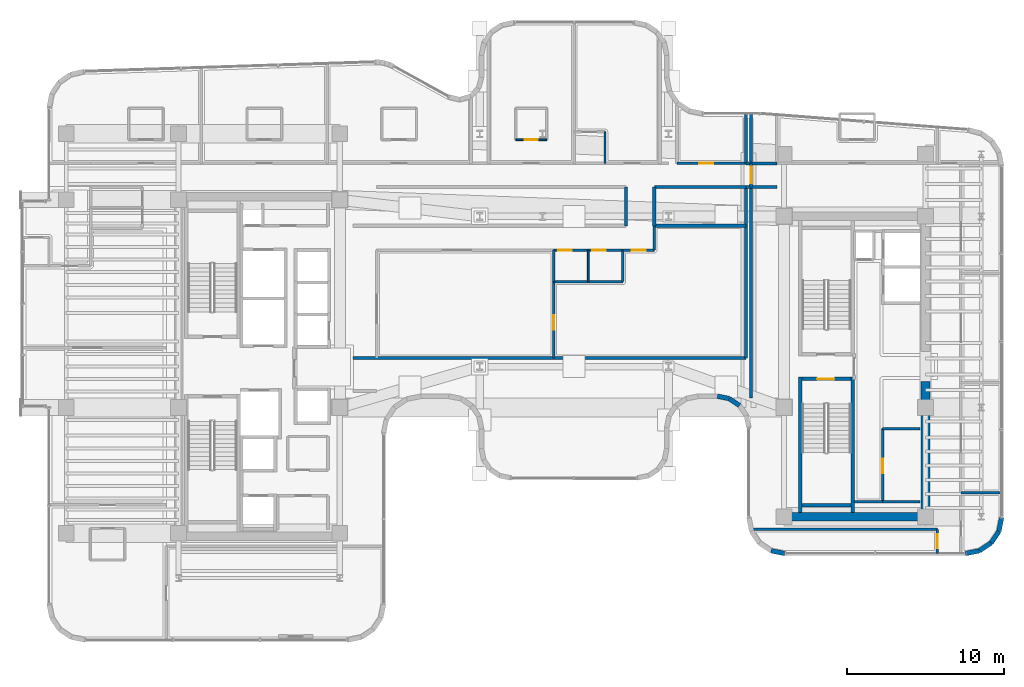
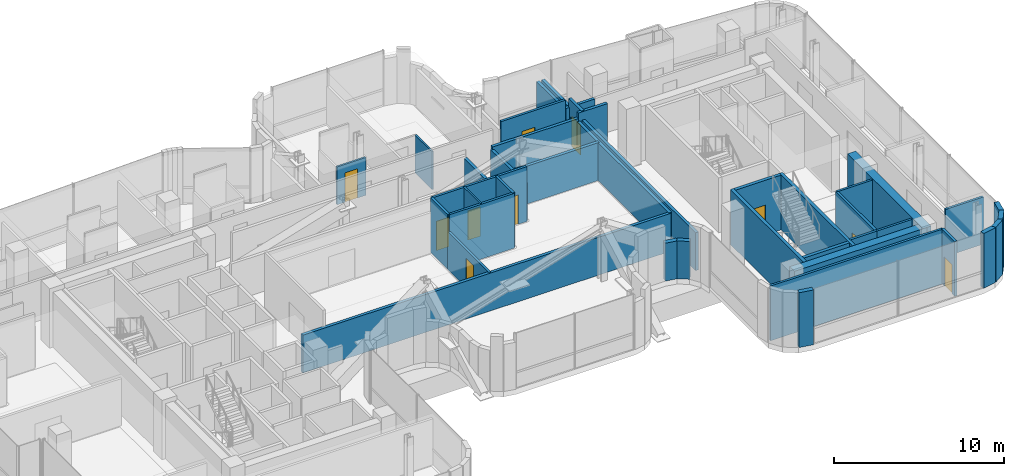
# One storey, part 29 of 37: 43 walls, 10 doors, 10 openings.
"""IFC4 building model written with IfcOpenShell, lengths in metres."""

from ifc_helpers import new_model, si_unit, direction, frame, frame_2d, origin, place, context, subcontext, project, spatial, rectangle, extrude, material, layer, layer_set, type_object, element, fill, save


model = new_model("IFC4")

# Units and contexts
model_context = context("Model", 3, precision=1e-05, world=origin(), true_north=direction((0.0, 1.0)))
body_context = subcontext(model_context, "Body", "Model", "MODEL_VIEW")
ifc_project = project(units=[si_unit("LENGTHUNIT", "METRE"), si_unit("AREAUNIT", "SQUARE_METRE"), si_unit("VOLUMEUNIT", "CUBIC_METRE"), si_unit("PLANEANGLEUNIT", "RADIAN"), si_unit("MASSUNIT", "GRAM", prefix="KILO")], contexts=[model_context])

# Site, building, storey
site_placement = place(None, origin())
site = spatial("IfcSite", under=ifc_project, at=site_placement, CompositionType="ELEMENT")
building_placement = place(site_placement, origin())
building = spatial("IfcBuilding", under=site, at=building_placement, Name="Valdorenza Pilgrim Sanctuary Tower", CompositionType="ELEMENT")
storey_placement = place(building_placement, frame((0.0, 0.0, 172.300048828125)))
storey = spatial("IfcBuildingStorey", under=building, at=storey_placement, Name="L44", CompositionType="ELEMENT", Elevation=172.300048828125)

# Wall
ifc_material_1 = material(Name="Acoustic twin-stud gypsum partition", Category="gypsum")
ifc_layer_1 = layer(ifc_material_1, 0.159912109375, Name="Acoustic twin-stud gypsum partition")
ifc_layer_set_1 = layer_set([ifc_layer_1], Name="Acoustic twin-stud gypsum partition")
wall_type_1 = type_object("IfcWallType", Name="WAL-COR-160", PredefinedType="PARTITIONING", material=ifc_layer_set_1)
wall_1_placement = place(storey_placement, frame((20.300048828125, -8.60009765625, 0.0), z_axis=(0.0, 0.0, 1.0), x_axis=(1.0, 0.0, 0.0)))
element("IfcWall", 1, at=wall_1_placement, inside=storey, type_object=wall_type_1, Name="L44 Core B Lift Hall South End Wall", PredefinedType="PARTITIONING", context=body_context, shape_type="SweptSolid", body=[
    extrude(rectangle(XDim=1.820068359375, YDim=0.159912109375, at=frame_2d((0.91015625, 0.0))), origin(), (0.0, 0.0, 1.0), 3.929931640625),
])

# Wall, opening, door
wall_2_placement = place(storey_placement, frame((22.1201171875, -8.60009765625, 0.0), z_axis=(0.0, 0.0, 1.0), x_axis=(0.0, 1.0, 0.0)))
wall_2 = element("IfcWall", 2, at=wall_2_placement, inside=storey, type_object=wall_type_1, Name="L44 Core B Freed Shaft West Wall", PredefinedType="PARTITIONING", context=body_context, shape_type="SweptSolid", body=[
    extrude(rectangle(XDim=4.650146484375, YDim=0.159912109375, at=frame_2d((2.3251953125, 0.0))), origin(), (0.0, 0.0, 1.0), 3.929931640625),
])
opening_1_placement = place(wall_2_placement, frame((1.800048828125, 0.0, 0.0)))
opening_1 = element("IfcOpeningElement", 3, at=opening_1_placement, cuts=wall_2, Name="Opening DR-UN1", PredefinedType="OPENING", context=body_context, shape_type="SweptSolid", body=[
    extrude(rectangle(XDim=0.949951171875, YDim=2.14990234375, at=frame_2d((0.47509765625, 1.074951171875))), frame((0.0, 0.0947265625, 0.0), z_axis=(0.0, -1.0, 0.0), x_axis=(1.0, 0.0, 0.0)), (0.0, 0.0, 1.0), 0.189697265625),
])
ifc_material_2 = material(Name="Solid-core European oak timber", Category="wood")
door_type_1 = type_object("IfcDoorType", Name="DR-UNIT-950", OperationType="NOTDEFINED", PredefinedType="DOOR", material=ifc_material_2)
door_1_placement = place(opening_1_placement, origin())
door_1 = element("IfcDoor", 4, at=door_1_placement, inside=storey, type_object=door_type_1, Name="L44 East Core Linen Store Door", OperationType="SINGLE_SWING_LEFT", OverallHeight=2.14990234375, OverallWidth=0.949951171875, PredefinedType="DOOR", context=body_context, shape_type="SweptSolid", body=[
    extrude(rectangle(XDim=0.949951171875, YDim=2.14990234375, at=frame_2d((0.47509765625, 1.074951171875))), frame((0.0, 0.02490234375, 0.0), z_axis=(0.0, -1.0, 0.0), x_axis=(1.0, 0.0, 0.0)), (0.0, 0.0, 1.0), 0.050048828125),
])
fill(opening_1, door_1)

wall_3_placement = place(storey_placement, frame((5.60009765625, 7.39990234375, 0.0), z_axis=(0.0, 0.0, 1.0), x_axis=(1.0, 0.0, 0.0)))
wall_3 = element("IfcWall", 5, at=wall_3_placement, inside=storey, type_object=wall_type_1, Name="L44 L44 Library Link Wall", PredefinedType="PARTITIONING", context=body_context, shape_type="SweptSolid", body=[
    extrude(rectangle(XDim=2.0, YDim=0.159912109375, at=frame_2d((1.0, 0.0))), origin(), (0.0, 0.0, 1.0), 3.929931640625),
])
opening_2_placement = place(wall_3_placement, frame((0.550048828125, 0.0, 0.0)))
opening_2 = element("IfcOpeningElement", 6, at=opening_2_placement, cuts=wall_3, Name="Opening DR-RM1", PredefinedType="OPENING", context=body_context, shape_type="SweptSolid", body=[
    extrude(rectangle(XDim=0.89990234375, YDim=2.10009765625, at=frame_2d((0.449951171875, 1.050048828125))), frame((0.0, 0.0947265625, 0.0), z_axis=(0.0, -1.0, 0.0), x_axis=(1.0, 0.0, 0.0)), (0.0, 0.0, 1.0), 0.189697265625),
])
door_type_2 = type_object("IfcDoorType", Name="DR-ROOM-900", OperationType="NOTDEFINED", PredefinedType="DOOR", material=ifc_material_2)
door_2_placement = place(opening_2_placement, origin())
door_2 = element("IfcDoor", 7, at=door_2_placement, inside=storey, type_object=door_type_2, Name="L44 Sacred Archive Reading Library Door", OperationType="SINGLE_SWING_RIGHT", OverallHeight=2.10009765625, OverallWidth=0.89990234375, PredefinedType="DOOR", context=body_context, shape_type="SweptSolid", body=[
    extrude(rectangle(XDim=0.89990234375, YDim=2.10009765625, at=frame_2d((0.449951171875, 1.050048828125))), frame((0.0, 0.02490234375, 0.0), z_axis=(0.0, -1.0, 0.0), x_axis=(1.0, 0.0, 0.0)), (0.0, 0.0, 1.0), 0.050048828125),
])
fill(opening_2, door_2)

# Walls
wall_4_placement = place(storey_placement, frame((7.60009765625, 7.39990234375, 0.0), z_axis=(0.0, 0.0, 1.0), x_axis=(0.0, 1.0, 0.0)))
element("IfcWall", 8, at=wall_4_placement, inside=storey, type_object=wall_type_1, Name="L44 L44 Library Link East Closure Wall", PredefinedType="PARTITIONING", context=body_context, shape_type="SweptSolid", body=[
    extrude(rectangle(XDim=1.550048828125, YDim=0.159912109375, at=frame_2d((0.77490234375, 0.0))), origin(), (0.0, 0.0, 1.0), 2.71484375),
])
for number, where, z_axis, x_axis, name in (
    (9, (1.199951171875, 5.39990234375, 0.0), (0.0, 0.0, 1.0), (0.0, 1.0, 0.0), "L44 Washroom West Wall"),
    (10, (5.60009765625, 5.39990234375, 0.0), (0.0, 0.0, 1.0), (0.0, 1.0, 0.0), "L44 Washroom East Wall"),
):
    element("IfcWall", number, at=place(storey_placement, frame(where, z_axis=z_axis, x_axis=x_axis)), inside=storey, type_object=wall_type_1, Name=name, PredefinedType="PARTITIONING", context=body_context, shape_type="SweptSolid", body=[
        extrude(rectangle(XDim=2.0, YDim=0.159912109375, at=frame_2d((1.0, 0.0))), origin(), (0.0, 0.0, 1.0), 3.929931640625),
    ])
wall_5_placement = place(storey_placement, frame((1.199951171875, 5.39990234375, 0.0), z_axis=(0.0, 0.0, 1.0), x_axis=(1.0, 0.0, 0.0)))
element("IfcWall", 11, at=wall_5_placement, inside=storey, type_object=wall_type_1, Name="L44 Washroom South Wall", PredefinedType="PARTITIONING", context=body_context, shape_type="SweptSolid", body=[
    extrude(rectangle(XDim=4.400146484375, YDim=0.159912109375, at=frame_2d((2.2001953125, 0.0))), origin(), (0.0, 0.0, 1.0), 3.929931640625),
])

# Wall, openings, doors
wall_6_placement = place(storey_placement, frame((1.199951171875, 7.39990234375, 0.0), z_axis=(0.0, 0.0, 1.0), x_axis=(1.0, 0.0, 0.0)))
wall_6 = element("IfcWall", 12, at=wall_6_placement, inside=storey, type_object=wall_type_1, Name="L44 Washroom North Wall", PredefinedType="PARTITIONING", context=body_context, shape_type="SweptSolid", body=[
    extrude(rectangle(XDim=4.400146484375, YDim=0.159912109375, at=frame_2d((2.2001953125, 0.0))), origin(), (0.0, 0.0, 1.0), 3.929931640625),
])
opening_3_placement = place(wall_6_placement, frame((0.300048828125, 0.0, 0.0)))
opening_3 = element("IfcOpeningElement", 13, at=opening_3_placement, cuts=wall_6, Name="Opening DR-WC1", PredefinedType="OPENING", context=body_context, shape_type="SweptSolid", body=[
    extrude(rectangle(XDim=0.85009765625, YDim=2.10009765625, at=frame_2d((0.425048828125, 1.050048828125))), frame((0.0, 0.0947265625, 0.0), z_axis=(0.0, -1.0, 0.0), x_axis=(1.0, 0.0, 0.0)), (0.0, 0.0, 1.0), 0.189697265625),
])
opening_4_placement = place(wall_6_placement, frame((2.449951171875, 0.0, 0.0)))
opening_4 = element("IfcOpeningElement", 14, at=opening_4_placement, cuts=wall_6, Name="Opening DR-WC1", PredefinedType="OPENING", context=body_context, shape_type="SweptSolid", body=[
    extrude(rectangle(XDim=0.85009765625, YDim=2.10009765625, at=frame_2d((0.425048828125, 1.050048828125))), frame((0.0, 0.0947265625, 0.0), z_axis=(0.0, -1.0, 0.0), x_axis=(1.0, 0.0, 0.0)), (0.0, 0.0, 1.0), 0.189697265625),
])
ifc_material_3 = material(Name="Moisture-resistant lacquered timber", Category="wood")
door_type_3 = type_object("IfcDoorType", Name="DR-BATH-850", OperationType="NOTDEFINED", PredefinedType="DOOR", material=ifc_material_3)
door_3_placement = place(opening_3_placement, origin())
door_3 = element("IfcDoor", 15, at=door_3_placement, inside=storey, type_object=door_type_3, Name="L44 Accessible Washroom Door", OperationType="SINGLE_SWING_RIGHT", OverallHeight=2.10009765625, OverallWidth=0.85009765625, PredefinedType="DOOR", context=body_context, shape_type="SweptSolid", body=[
    extrude(rectangle(XDim=0.85009765625, YDim=2.10009765625, at=frame_2d((0.425048828125, 1.050048828125))), frame((0.0, 0.02490234375, 0.0), z_axis=(0.0, -1.0, 0.0), x_axis=(1.0, 0.0, 0.0)), (0.0, 0.0, 1.0), 0.050048828125),
])
fill(opening_3, door_3)
door_4_placement = place(opening_4_placement, origin())
door_4 = element("IfcDoor", 16, at=door_4_placement, inside=storey, type_object=door_type_3, Name="L44 Public Washroom Door", OperationType="SINGLE_SWING_LEFT", OverallHeight=2.10009765625, OverallWidth=0.85009765625, PredefinedType="DOOR", context=body_context, shape_type="SweptSolid", body=[
    extrude(rectangle(XDim=0.85009765625, YDim=2.10009765625, at=frame_2d((0.425048828125, 1.050048828125))), frame((0.0, 0.02490234375, 0.0), z_axis=(0.0, -1.0, 0.0), x_axis=(1.0, 0.0, 0.0)), (0.0, 0.0, 1.0), 0.050048828125),
])
fill(opening_4, door_4)

# Wall, opening, door
wall_7_placement = place(storey_placement, frame((9.050048828125, 12.919921875, 0.0), z_axis=(0.0, 0.0, 1.0), x_axis=(1.0, 0.0, 0.0)))
wall_7 = element("IfcWall", 17, at=wall_7_placement, inside=storey, type_object=wall_type_1, Name="L44 L44 North-East Salon Corridor Wall", PredefinedType="PARTITIONING", context=body_context, shape_type="SweptSolid", body=[
    extrude(rectangle(XDim=4.369873046875, YDim=0.159912109375, at=frame_2d((2.18505859375, 0.0))), origin(), (0.0, 0.0, 1.0), 3.303955078125),
])
opening_5_placement = place(wall_7_placement, frame((1.39990234375, 0.0, 0.0)))
opening_5 = element("IfcOpeningElement", 18, at=opening_5_placement, cuts=wall_7, Name="Opening DR-RM1", PredefinedType="OPENING", context=body_context, shape_type="SweptSolid", body=[
    extrude(rectangle(XDim=0.89990234375, YDim=2.10009765625, at=frame_2d((0.449951171875, 1.050048828125))), frame((0.0, 0.0947265625, 0.0), z_axis=(0.0, -1.0, 0.0), x_axis=(1.0, 0.0, 0.0)), (0.0, 0.0, 1.0), 0.189697265625),
])
door_5_placement = place(opening_5_placement, origin())
door_5 = element("IfcDoor", 19, at=door_5_placement, inside=storey, type_object=door_type_2, Name="L44 North-East Contemplation Salon Door", OperationType="SINGLE_SWING_RIGHT", OverallHeight=2.10009765625, OverallWidth=0.89990234375, PredefinedType="DOOR", context=body_context, shape_type="SweptSolid", body=[
    extrude(rectangle(XDim=0.89990234375, YDim=2.10009765625, at=frame_2d((0.449951171875, 1.050048828125))), frame((0.0, 0.02490234375, 0.0), z_axis=(0.0, -1.0, 0.0), x_axis=(1.0, 0.0, 0.0)), (0.0, 0.0, 1.0), 0.050048828125),
])
fill(opening_5, door_5)

wall_8_placement = place(storey_placement, frame((25.60009765625, -11.889892578125, 0.0), z_axis=(0.0, 0.0, 1.0), x_axis=(0.0, 1.0, 0.0)))
wall_8 = element("IfcWall", 20, at=wall_8_placement, inside=storey, type_object=wall_type_1, Name="L44 Wing B South-East Wall", PredefinedType="PARTITIONING", context=body_context, shape_type="SweptSolid", body=[
    extrude(rectangle(XDim=1.539794921875, YDim=0.159912109375, at=frame_2d((0.77001953125, 0.0))), origin(), (0.0, 0.0, 1.0), 3.929931640625),
])
opening_6_placement = place(wall_8_placement, frame((0.320068359375, 0.0, 0.0)))
opening_6 = element("IfcOpeningElement", 21, at=opening_6_placement, cuts=wall_8, Name="Opening DR-RM1", PredefinedType="OPENING", context=body_context, shape_type="SweptSolid", body=[
    extrude(rectangle(XDim=0.89990234375, YDim=2.10009765625, at=frame_2d((0.449951171875, 1.050048828125))), frame((0.0, 0.0947265625, 0.0), z_axis=(0.0, -1.0, 0.0), x_axis=(1.0, 0.0, 0.0)), (0.0, 0.0, 1.0), 0.189697265625),
])
door_6_placement = place(opening_6_placement, frame((0.89990234375, 0.0, 0.0), z_axis=(0.0, 0.0, 1.0), x_axis=(-1.0, 0.0, 0.0)))
door_6 = element("IfcDoor", 22, at=door_6_placement, inside=storey, type_object=door_type_2, Name="L44 Sacred Manuscript Archive L44-BS Door", OperationType="SINGLE_SWING_LEFT", OverallHeight=2.10009765625, OverallWidth=0.89990234375, PredefinedType="DOOR", context=body_context, shape_type="SweptSolid", body=[
    extrude(rectangle(XDim=0.89990234375, YDim=2.10009765625, at=frame_2d((0.449951171875, 1.050048828125))), frame((0.0, 0.02490234375, 0.0), z_axis=(0.0, -1.0, 0.0), x_axis=(1.0, 0.0, 0.0)), (0.0, 0.0, 1.0), 0.050048828125),
])
fill(opening_6, door_6)

# Walls
wall_9_placement = place(storey_placement, frame((13.888916015625, -10.35009765625, 0.0), z_axis=(0.0, 0.0, 1.0), x_axis=(1.0, 0.0, 0.0)))
element("IfcWall", 23, at=wall_9_placement, inside=storey, type_object=wall_type_1, Name="L44 Wing B South Closure", PredefinedType="PARTITIONING", context=body_context, shape_type="SweptSolid", body=[
    extrude(rectangle(XDim=11.711181640625, YDim=0.159912109375, at=frame_2d((5.85546875, 0.0))), origin(), (0.0, 0.0, 1.0), 3.929931640625),
])
ifc_material_4 = material(Name="Concrete C50/60", Category="concrete")
ifc_layer_2 = layer(ifc_material_4, 0.550048828125, Name="Concrete C50/60")
ifc_layer_set_2 = layer_set([ifc_layer_2], Name="Concrete C50/60")
wall_type_2 = type_object("IfcWallType", Name="WAL-COR-550", PredefinedType="SHEAR", material=ifc_layer_set_2)
wall_10_placement = place(storey_placement, frame((24.85009765625, -9.824951171875, 0.0), z_axis=(0.0, 0.0, 1.0), x_axis=(0.0, 1.0, 0.0)))
element("IfcWall", 24, at=wall_10_placement, inside=storey, type_object=wall_type_2, Name="L44 Split Core B Shear Wall ES", PredefinedType="SHEAR", context=body_context, shape_type="SweptSolid", body=[
    extrude(rectangle(XDim=8.875, YDim=0.550048828125, at=frame_2d((4.4375, 0.0))), origin(), (0.0, 0.0, 1.0), 3.929931640625),
])
wall_11_placement = place(storey_placement, frame((15.85009765625, -9.550048828125, 0.0), z_axis=(0.0, 0.0, 1.0), x_axis=(1.0, 0.0, 0.0)))
element("IfcWall", 25, at=wall_11_placement, inside=storey, type_object=wall_type_2, Name="L44 Split Core B Shear Wall S", PredefinedType="SHEAR", context=body_context, shape_type="SweptSolid", body=[
    extrude(rectangle(XDim=9.0, YDim=0.550048828125, at=frame_2d((4.5, 0.0))), origin(), (0.0, 0.0, 1.0), 3.929931640625),
])
ifc_material_5 = material(Name="Honed travertine limestone", Category="masonry")
ifc_layer_3 = layer(ifc_material_5, 0.300048828125, Name="Honed travertine limestone")
ifc_layer_set_3 = layer_set([ifc_layer_3], Name="Honed travertine limestone")
wall_type_3 = type_object("IfcWallType", Name="WAL-EXT-300", PredefinedType="SOLIDWALL", material=ifc_layer_set_3)
wall_12_placement = place(storey_placement, frame((29.68994140625, -9.589111328125, 0.0), z_axis=(0.0, 0.0, 1.0), x_axis=(-0.195025152871, -0.980798241101, 0.0)))
element("IfcWall", 26, at=wall_12_placement, inside=storey, type_object=wall_type_3, Name="L44 Rounded Wind-Corner Stone Pier 38", PredefinedType="SOLIDWALL", context=body_context, shape_type="SweptSolid", body=[
    extrude(rectangle(XDim=0.90380859375, YDim=0.300048828125, at=frame_2d((0.451904296875, 0.0))), origin(), (0.0, 0.0, 1.0), 3.929931640625),
])
wall_13_placement = place(storey_placement, frame((29.513671875, -10.4755859375, 0.0), z_axis=(0.0, 0.0, 1.0), x_axis=(-0.555520488502, -0.831502848374, 0.0)))
element("IfcWall", 27, at=wall_13_placement, inside=storey, type_object=wall_type_3, Name="L44 Rounded Wind-Corner Stone Pier 39", PredefinedType="SOLIDWALL", context=body_context, shape_type="SweptSolid", body=[
    extrude(rectangle(XDim=0.892578125, YDim=0.300048828125, at=frame_2d((0.4462890625, 0.0))), origin(), (0.0, 0.0, 1.0), 3.929931640625),
])
wall_14_placement = place(storey_placement, frame((29.017822265625, -11.2177734375, 0.0), z_axis=(0.0, 0.0, 1.0), x_axis=(-0.83158722889, -0.555394167009, 0.0)))
element("IfcWall", 28, at=wall_14_placement, inside=storey, type_object=wall_type_3, Name="L44 Rounded Wind-Corner Stone Pier 40", PredefinedType="SOLIDWALL", context=body_context, shape_type="SweptSolid", body=[
    extrude(rectangle(XDim=0.892822265625, YDim=0.300048828125, at=frame_2d((0.4462890625, 0.0))), origin(), (0.0, 0.0, 1.0), 3.929931640625),
])
wall_15_placement = place(storey_placement, frame((28.275390625, -11.713623046875, 0.0), z_axis=(0.0, 0.0, 1.0), x_axis=(-0.980787963133, -0.19507683454, 0.0)))
element("IfcWall", 29, at=wall_15_placement, inside=storey, type_object=wall_type_3, Name="L44 Rounded Wind-Corner Stone Pier 41", PredefinedType="SOLIDWALL", context=body_context, shape_type="SweptSolid", body=[
    extrude(rectangle(XDim=0.903564453125, YDim=0.300048828125, at=frame_2d((0.45166015625, 0.0))), origin(), (0.0, 0.0, 1.0), 3.929931640625),
])
wall_16_placement = place(storey_placement, frame((15.910888671875, -11.889892578125, 0.0), z_axis=(0.0, 0.0, 1.0), x_axis=(-0.980798241101, 0.195025152871, 0.0)))
element("IfcWall", 30, at=wall_16_placement, inside=storey, type_object=wall_type_3, Name="L44 Rounded Wind-Corner Stone Pier 43", PredefinedType="SOLIDWALL", context=body_context, shape_type="SweptSolid", body=[
    extrude(rectangle(XDim=0.90380859375, YDim=0.300048828125, at=frame_2d((0.451904296875, 0.0))), origin(), (0.0, 0.0, 1.0), 3.929931640625),
])
wall_17_placement = place(storey_placement, frame((13.022705078125, -2.477294921875, 0.0), z_axis=(0.0, 0.0, 1.0), x_axis=(-0.831331880615, 0.555776307766, 0.0)))
element("IfcWall", 31, at=wall_17_placement, inside=storey, type_object=wall_type_3, Name="L44 Rounded Wind-Corner Stone Pier 50", PredefinedType="SOLIDWALL", context=body_context, shape_type="SweptSolid", body=[
    extrude(rectangle(XDim=0.784912109375, YDim=0.300048828125, at=frame_2d((0.392578125, 0.0))), origin(), (0.0, 0.0, 1.0), 2.71484375),
])
wall_18_placement = place(storey_placement, frame((12.3701171875, -2.041015625, 0.0), z_axis=(0.0, 0.0, 1.0), x_axis=(-0.98076219082, 0.195206365311, 0.0)))
element("IfcWall", 32, at=wall_18_placement, inside=storey, type_object=wall_type_3, Name="L44 Rounded Wind-Corner Stone Pier 51", PredefinedType="SOLIDWALL", context=body_context, shape_type="SweptSolid", body=[
    extrude(rectangle(XDim=0.774169921875, YDim=0.300048828125, at=frame_2d((0.38720703125, 0.0))), origin(), (0.0, 0.0, 1.0), 2.71484375),
])
ifc_material_6 = material(Name="Gypsum shaftwall partition", Category="gypsum")
ifc_layer_4 = layer(ifc_material_6, 0.199951171875, Name="Gypsum shaftwall partition")
ifc_layer_set_4 = layer_set([ifc_layer_4], Name="Gypsum shaftwall partition")
wall_type_4 = type_object("IfcWallType", Name="WAL-FFL-200", PredefinedType="PARTITIONING", material=ifc_layer_set_4)
wall_19_placement = place(storey_placement, frame((-11.550048828125, 0.550048828125, 0.0), z_axis=(0.0, 0.0, 1.0), x_axis=(1.0, 0.0, 0.0)))
element("IfcWall", 33, at=wall_19_placement, inside=storey, type_object=wall_type_4, Name="L44 L44 South Bridge Truss Chase Wall", PredefinedType="PARTITIONING", context=body_context, shape_type="SweptSolid", body=[
    extrude(rectangle(XDim=24.969970703125, YDim=0.199951171875, at=frame_2d((12.48486328125, 0.0))), origin(), (0.0, 0.0, 1.0), 2.71484375),
])
wall_20_placement = place(storey_placement, frame((7.60009765625, 8.949951171875, 0.0), z_axis=(0.0, 0.0, 1.0), x_axis=(1.0, 0.0, 0.0)))
element("IfcWall", 34, at=wall_20_placement, inside=storey, type_object=wall_type_4, Name="L44 L44 North Bridge Truss Chase South Wall E", PredefinedType="PARTITIONING", context=body_context, shape_type="SweptSolid", body=[
    extrude(rectangle(XDim=5.81982421875, YDim=0.199951171875, at=frame_2d((2.909912109375, 0.0))), origin(), (0.0, 0.0, 1.0), 2.71484375),
])
wall_21_placement = place(storey_placement, frame((7.60009765625, 11.419921875, 0.0), z_axis=(0.0, 0.0, 1.0), x_axis=(1.0, 0.0, 0.0)))
element("IfcWall", 35, at=wall_21_placement, inside=storey, type_object=wall_type_4, Name="L44 L44 North Bridge Truss Chase North Wall E", PredefinedType="PARTITIONING", context=body_context, shape_type="SweptSolid", body=[
    extrude(rectangle(XDim=5.81982421875, YDim=0.199951171875, at=frame_2d((2.909912109375, 0.0))), origin(), (0.0, 0.0, 1.0), 2.9150390625),
])
for number, where, z_axis, x_axis, name in (
    (36, (5.800048828125, 8.949951171875, 0.0), (0.0, 0.0, 1.0), (0.0, 1.0, 0.0), "L44 L44 Bridge Link West Wall"),
    (37, (7.60009765625, 8.949951171875, 0.0), (0.0, 0.0, 1.0), (0.0, 1.0, 0.0), "L44 L44 Bridge Link East Wall"),
):
    element("IfcWall", number, at=place(storey_placement, frame(where, z_axis=z_axis, x_axis=x_axis)), inside=storey, type_object=wall_type_4, Name=name, PredefinedType="PARTITIONING", context=body_context, shape_type="SweptSolid", body=[
        extrude(rectangle(XDim=2.469970703125, YDim=0.199951171875, at=frame_2d((1.23486328125, 0.0))), origin(), (0.0, 0.0, 1.0), 2.71484375),
    ])
wall_22_placement = place(storey_placement, frame((13.419921875, 0.550048828125, 0.0), z_axis=(0.0, 0.0, 1.0), x_axis=(0.0, 1.0, 0.0)))
element("IfcWall", 38, at=wall_22_placement, inside=storey, type_object=wall_type_4, Name="L44 L44 Prayer Bar Joint West Wall", PredefinedType="PARTITIONING", context=body_context, shape_type="SweptSolid", body=[
    extrude(rectangle(XDim=10.869873046875, YDim=0.199951171875, at=frame_2d((5.43505859375, 0.0))), origin(), (0.0, 0.0, 1.0), 2.71484375),
])
wall_23_placement = place(storey_placement, frame((13.760009765625, -2.0, 0.0), z_axis=(0.0, 0.0, 1.0), x_axis=(0.0, 1.0, 0.0)))
element("IfcWall", 39, at=wall_23_placement, inside=storey, type_object=wall_type_4, Name="L44 L44 Wing B Joint East Wall", PredefinedType="PARTITIONING", context=body_context, shape_type="SweptSolid", body=[
    extrude(rectangle(XDim=13.419921875, YDim=0.199951171875, at=frame_2d((6.7099609375, 0.0))), origin(), (0.0, 0.0, 1.0), 2.71484375),
])
for number, where, z_axis, x_axis, name in (
    (40, (13.419921875, 12.919921875, 0.0), (0.0, 0.0, 1.0), (0.0, 1.0, 0.0), "L44 L44 North-East Joint West Wall"),
    (41, (13.760009765625, 12.919921875, 0.0), (0.0, 0.0, 1.0), (0.0, 1.0, 0.0), "L44 L44 North-East Joint East Wall"),
):
    element("IfcWall", number, at=place(storey_placement, frame(where, z_axis=z_axis, x_axis=x_axis)), inside=storey, type_object=wall_type_4, Name=name, PredefinedType="PARTITIONING", context=body_context, shape_type="SweptSolid", body=[
        extrude(rectangle(XDim=3.170166015625, YDim=0.199951171875, at=frame_2d((1.5849609375, 0.0))), origin(), (0.0, 0.0, 1.0), 2.71484375),
    ])
wall_24_placement = place(storey_placement, frame((13.419921875, 12.919921875, 0.0), z_axis=(0.0, 0.0, 1.0), x_axis=(1.0, 0.0, 0.0)))
element("IfcWall", 42, at=wall_24_placement, inside=storey, type_object=wall_type_4, Name="L44 L44 Bridge Joint Corridor North Wall", PredefinedType="PARTITIONING", context=body_context, shape_type="SweptSolid", body=[
    extrude(rectangle(XDim=1.97998046875, YDim=0.199951171875, at=frame_2d((0.989990234375, 0.0))), origin(), (0.0, 0.0, 1.0), 2.71484375),
])
wall_25_placement = place(storey_placement, frame((13.419921875, 11.419921875, 0.0), z_axis=(0.0, 0.0, 1.0), x_axis=(1.0, 0.0, 0.0)))
element("IfcWall", 43, at=wall_25_placement, inside=storey, type_object=wall_type_4, Name="L44 L44 Bridge Joint Corridor South Wall", PredefinedType="PARTITIONING", context=body_context, shape_type="SweptSolid", body=[
    extrude(rectangle(XDim=1.97998046875, YDim=0.199951171875, at=frame_2d((0.989990234375, 0.0))), origin(), (0.0, 0.0, 1.0), 3.303955078125),
])

# Wall, opening, door
wall_26_placement = place(storey_placement, frame((13.760009765625, 11.419921875, 0.0), z_axis=(0.0, 0.0, 1.0), x_axis=(0.0, 1.0, 0.0)))
wall_26 = element("IfcWall", 44, at=wall_26_placement, inside=storey, type_object=wall_type_4, Name="L44 L44 Bridge Joint Threshold Fire Wall", PredefinedType="PARTITIONING", context=body_context, shape_type="SweptSolid", body=[
    extrude(rectangle(XDim=1.5, YDim=0.199951171875, at=frame_2d((0.75, 0.0))), origin(), (0.0, 0.0, 1.0), 3.303955078125),
])
opening_7_placement = place(wall_26_placement, frame((0.22509765625, 0.0, 0.0)))
opening_7 = element("IfcOpeningElement", 45, at=opening_7_placement, cuts=wall_26, Name="Opening DR-FL1", PredefinedType="OPENING", context=body_context, shape_type="SweptSolid", body=[
    extrude(rectangle(XDim=1.050048828125, YDim=2.14990234375, at=frame_2d((0.52490234375, 1.074951171875))), frame((0.0, 0.11474609375, 0.0), z_axis=(0.0, -1.0, 0.0), x_axis=(1.0, 0.0, 0.0)), (0.0, 0.0, 1.0), 0.229736328125),
])
ifc_material_7 = material(Name="Painted galvanized steel", Category="steel")
door_type_4 = type_object("IfcDoorType", Name="DR-FFL-1050", OperationType="NOTDEFINED", PredefinedType="DOOR", material=ifc_material_7)
door_7_placement = place(opening_7_placement, origin())
door_7 = element("IfcDoor", 46, at=door_7_placement, inside=storey, type_object=door_type_4, Name="L44 L44 Bridge Movement-Joint Threshold Door", OperationType="SINGLE_SWING_LEFT", OverallHeight=2.14990234375, OverallWidth=1.050048828125, PredefinedType="DOOR", context=body_context, shape_type="SweptSolid", body=[
    extrude(rectangle(XDim=1.050048828125, YDim=2.14990234375, at=frame_2d((0.52490234375, 1.074951171875))), frame((0.0, 0.02490234375, 0.0), z_axis=(0.0, -1.0, 0.0), x_axis=(1.0, 0.0, 0.0)), (0.0, 0.0, 1.0), 0.050048828125),
])
fill(opening_7, door_7)

ifc_material_8 = material(Name="Moisture-resistant gypsum partition", Category="gypsum")
ifc_layer_5 = layer(ifc_material_8, 0.1201171875, Name="Moisture-resistant gypsum partition")
ifc_layer_set_5 = layer_set([ifc_layer_5], Name="Moisture-resistant gypsum partition")
wall_type_5 = type_object("IfcWallType", Name="WAL-INT-120", PredefinedType="PARTITIONING", material=ifc_layer_set_5)
wall_27_placement = place(storey_placement, frame((-1.2060546875, 14.419921875, 0.0), z_axis=(0.0, 0.0, 1.0), x_axis=(1.0, 0.0, 0.0)))
wall_27 = element("IfcWall", 47, at=wall_27_placement, inside=storey, type_object=wall_type_5, Name="L44 North Guest Room L44-N4 En-suite Door Wall", PredefinedType="PARTITIONING", context=body_context, shape_type="SweptSolid", body=[
    extrude(rectangle(XDim=1.962158203125, YDim=0.1201171875, at=frame_2d((0.98095703125, 0.0))), origin(), (0.0, 0.0, 1.0), 2.71484375),
])
opening_8_placement = place(wall_27_placement, frame((0.555908203125, 0.0, 0.0)))
opening_8 = element("IfcOpeningElement", 48, at=opening_8_placement, cuts=wall_27, Name="Opening DR-WC1", PredefinedType="OPENING", context=body_context, shape_type="SweptSolid", body=[
    extrude(rectangle(XDim=0.85009765625, YDim=2.10009765625, at=frame_2d((0.425048828125, 1.050048828125))), frame((0.0, 0.074951171875, 0.0), z_axis=(0.0, -1.0, 0.0), x_axis=(1.0, 0.0, 0.0)), (0.0, 0.0, 1.0), 0.14990234375),
])
door_8_placement = place(opening_8_placement, origin())
door_8 = element("IfcDoor", 49, at=door_8_placement, inside=storey, type_object=door_type_3, Name="L44 North Guest Room L44-N4 En-suite Bathroom Door", OperationType="SINGLE_SWING_LEFT", OverallHeight=2.10009765625, OverallWidth=0.85009765625, PredefinedType="DOOR", context=body_context, shape_type="SweptSolid", body=[
    extrude(rectangle(XDim=0.85009765625, YDim=2.10009765625, at=frame_2d((0.425048828125, 1.050048828125))), frame((0.0, 0.02490234375, 0.0), z_axis=(0.0, -1.0, 0.0), x_axis=(1.0, 0.0, 0.0)), (0.0, 0.0, 1.0), 0.050048828125),
])
fill(opening_8, door_8)

# Walls
wall_28_placement = place(storey_placement, frame((4.4619140625, 12.919921875, 0.0), z_axis=(0.0, 0.0, 1.0), x_axis=(0.0, 1.0, 0.0)))
element("IfcWall", 50, at=wall_28_placement, inside=storey, type_object=wall_type_5, Name="L44 North Guest Room L44-N5 En-suite East Wall", PredefinedType="PARTITIONING", context=body_context, shape_type="SweptSolid", body=[
    extrude(rectangle(XDim=2.0, YDim=0.1201171875, at=frame_2d((1.0, 0.0))), origin(), (0.0, 0.0, 1.0), 2.71484375),
])
wall_29_placement = place(storey_placement, frame((3.39990234375, 5.39990234375, 0.0), z_axis=(0.0, 0.0, 1.0), x_axis=(0.0, 1.0, 0.0)))
element("IfcWall", 51, at=wall_29_placement, inside=storey, type_object=wall_type_5, Name="L44 Washroom Divider Wall", PredefinedType="PARTITIONING", context=body_context, shape_type="SweptSolid", body=[
    extrude(rectangle(XDim=2.0, YDim=0.1201171875, at=frame_2d((1.0, 0.0))), origin(), (0.0, 0.0, 1.0), 3.929931640625),
])
ifc_material_9 = material(Name="Concrete C40/50", Category="concrete")
ifc_layer_6 = layer(ifc_material_9, 0.219970703125, Name="Concrete C40/50")
ifc_layer_set_6 = layer_set([ifc_layer_6], Name="Concrete C40/50")
wall_type_6 = type_object("IfcWallType", Name="WAL-STR-SHF-220", PredefinedType="SHEAR", material=ifc_layer_set_6)
for number, where, z_axis, x_axis, name in (
    (52, (16.889892578125, -9.27490234375, 0.0), (0.0, 0.0, 1.0), (0.0, 1.0, 0.0), "L44 ST-B2 Structural Stairwell Wall W"),
    (53, (20.219970703125, -9.27490234375, 0.0), (0.0, 0.0, 1.0), (0.0, 1.0, 0.0), "L44 ST-B2 Structural Stairwell Wall E"),
):
    element("IfcWall", number, at=place(storey_placement, frame(where, z_axis=z_axis, x_axis=x_axis)), inside=storey, type_object=wall_type_6, Name=name, PredefinedType="SHEAR", context=body_context, shape_type="SweptSolid", body=[
        extrude(rectangle(XDim=8.594970703125, YDim=0.219970703125, at=frame_2d((4.29736328125, 0.0))), origin(), (0.0, 0.0, 1.0), 3.929931640625),
    ])
wall_30_placement = place(storey_placement, frame((17.0, -8.81005859375, 0.0), z_axis=(0.0, 0.0, 1.0), x_axis=(1.0, 0.0, 0.0)))
element("IfcWall", 54, at=wall_30_placement, inside=storey, type_object=wall_type_6, Name="L44 ST-B2 Structural Stairwell Wall S", PredefinedType="SHEAR", context=body_context, shape_type="SweptSolid", body=[
    extrude(rectangle(XDim=3.110107421875, YDim=0.219970703125, at=frame_2d((1.55517578125, 0.0))), origin(), (0.0, 0.0, 1.0), 3.929931640625),
])

# Wall, opening, door
wall_31_placement = place(storey_placement, frame((17.0, -0.7900390625, 0.0), z_axis=(0.0, 0.0, 1.0), x_axis=(1.0, 0.0, 0.0)))
wall_31 = element("IfcWall", 55, at=wall_31_placement, inside=storey, type_object=wall_type_6, Name="L44 ST-B2 Structural Stairwell Wall N", PredefinedType="SHEAR", context=body_context, shape_type="SweptSolid", body=[
    extrude(rectangle(XDim=3.110107421875, YDim=0.219970703125, at=frame_2d((1.55517578125, 0.0))), origin(), (0.0, 0.0, 1.0), 3.929931640625),
])
opening_9_placement = place(wall_31_placement, frame((0.949951171875, 0.0, 0.0)))
opening_9 = element("IfcOpeningElement", 56, at=opening_9_placement, cuts=wall_31, Name="Opening DR-ST1", PredefinedType="OPENING", context=body_context, shape_type="SweptSolid", body=[
    extrude(rectangle(XDim=1.10009765625, YDim=2.14990234375, at=frame_2d((0.550048828125, 1.074951171875))), frame((0.0, 0.125, 0.0), z_axis=(0.0, -1.0, 0.0), x_axis=(1.0, 0.0, 0.0)), (0.0, 0.0, 1.0), 0.249755859375),
])
door_type_5 = type_object("IfcDoorType", Name="DR-STAIR-1100", OperationType="NOTDEFINED", PredefinedType="DOOR", material=ifc_material_7)
door_9_placement = place(opening_9_placement, frame((1.10009765625, 0.0, 0.0), z_axis=(0.0, 0.0, 1.0), x_axis=(-1.0, 0.0, 0.0)))
door_9 = element("IfcDoor", 57, at=door_9_placement, inside=storey, type_object=door_type_5, Name="L44 Exit Stair ST-B2 Door", OperationType="SINGLE_SWING_LEFT", OverallHeight=2.14990234375, OverallWidth=1.10009765625, PredefinedType="DOOR", context=body_context, shape_type="SweptSolid", body=[
    extrude(rectangle(XDim=1.10009765625, YDim=2.14990234375, at=frame_2d((0.550048828125, 1.074951171875))), frame((0.0, 0.02490234375, 0.0), z_axis=(0.0, -1.0, 0.0), x_axis=(1.0, 0.0, 0.0)), (0.0, 0.0, 1.0), 0.050048828125),
])
fill(opening_9, door_9)

# Walls
ifc_layer_7 = layer(ifc_material_1, 0.14990234375, Name="Acoustic twin-stud gypsum partition")
ifc_layer_set_7 = layer_set([ifc_layer_7], Name="Acoustic twin-stud gypsum partition")
wall_type_7 = type_object("IfcWallType", Name="WAL-UNT-150", PredefinedType="PARTITIONING", material=ifc_layer_set_7)
for number, where, z_axis, x_axis, name in (
    (58, (22.1201171875, -3.949951171875, 0.0), (0.0, 0.0, 1.0), (1.0, 0.0, 0.0), "L44 Core B Freed Shaft North Wall"),
    (59, (22.1201171875, -8.60009765625, 0.0), (0.0, 0.0, 1.0), (1.0, 0.0, 0.0), "L44 Core B Freed Shaft South Wall"),
):
    element("IfcWall", number, at=place(storey_placement, frame(where, z_axis=z_axis, x_axis=x_axis)), inside=storey, type_object=wall_type_7, Name=name, PredefinedType="PARTITIONING", context=body_context, shape_type="SweptSolid", body=[
        extrude(rectangle(XDim=2.3798828125, YDim=0.14990234375, at=frame_2d((1.18994140625, 0.0))), origin(), (0.0, 0.0, 1.0), 3.929931640625),
    ])

# Wall, opening, door
wall_32_placement = place(storey_placement, frame((1.199951171875, 0.550048828125, 0.0), z_axis=(0.0, 0.0, 1.0), x_axis=(0.0, 1.0, 0.0)))
wall_32 = element("IfcWall", 60, at=wall_32_placement, inside=storey, type_object=wall_type_7, Name="L44 L44 Prayer Hall Library Split", PredefinedType="PARTITIONING", context=body_context, shape_type="SweptSolid", body=[
    extrude(rectangle(XDim=4.849853515625, YDim=0.14990234375, at=frame_2d((2.4248046875, 0.0))), origin(), (0.0, 0.0, 1.0), 2.71484375),
])
opening_10_placement = place(wall_32_placement, frame((1.800048828125, 0.0, 0.0)))
opening_10 = element("IfcOpeningElement", 61, at=opening_10_placement, cuts=wall_32, Name="Opening DR-RM1", PredefinedType="OPENING", context=body_context, shape_type="SweptSolid", body=[
    extrude(rectangle(XDim=0.89990234375, YDim=2.10009765625, at=frame_2d((0.449951171875, 1.050048828125))), frame((0.0, 0.08984375, 0.0), z_axis=(0.0, -1.0, 0.0), x_axis=(1.0, 0.0, 0.0)), (0.0, 0.0, 1.0), 0.1796875),
])
door_10_placement = place(opening_10_placement, frame((0.89990234375, 0.0, 0.0), z_axis=(0.0, 0.0, 1.0), x_axis=(-1.0, 0.0, 0.0)))
door_10 = element("IfcDoor", 62, at=door_10_placement, inside=storey, type_object=door_type_2, Name="L44 Prayer Hall Library Door", OperationType="SINGLE_SWING_LEFT", OverallHeight=2.10009765625, OverallWidth=0.89990234375, PredefinedType="DOOR", context=body_context, shape_type="SweptSolid", body=[
    extrude(rectangle(XDim=0.89990234375, YDim=2.10009765625, at=frame_2d((0.449951171875, 1.050048828125))), frame((0.0, 0.02490234375, 0.0), z_axis=(0.0, -1.0, 0.0), x_axis=(1.0, 0.0, 0.0)), (0.0, 0.0, 1.0), 0.050048828125),
])
fill(opening_10, door_10)

# Wall
wall_33_placement = place(storey_placement, frame((27.10009765625, -8.02001953125, 0.0), z_axis=(0.0, 0.0, 1.0), x_axis=(1.0, 0.0, 0.0)))
element("IfcWall", 63, at=wall_33_placement, inside=storey, type_object=wall_type_7, Name="L44 East Reading Lounge L44-EB2 Demising Wall", PredefinedType="PARTITIONING", context=body_context, shape_type="SweptSolid", body=[
    extrude(rectangle(XDim=2.58984375, YDim=0.14990234375, at=frame_2d((1.294921875, 0.0))), origin(), (0.0, 0.0, 1.0), 3.3759765625),
])

save(model, "model.ifc")
